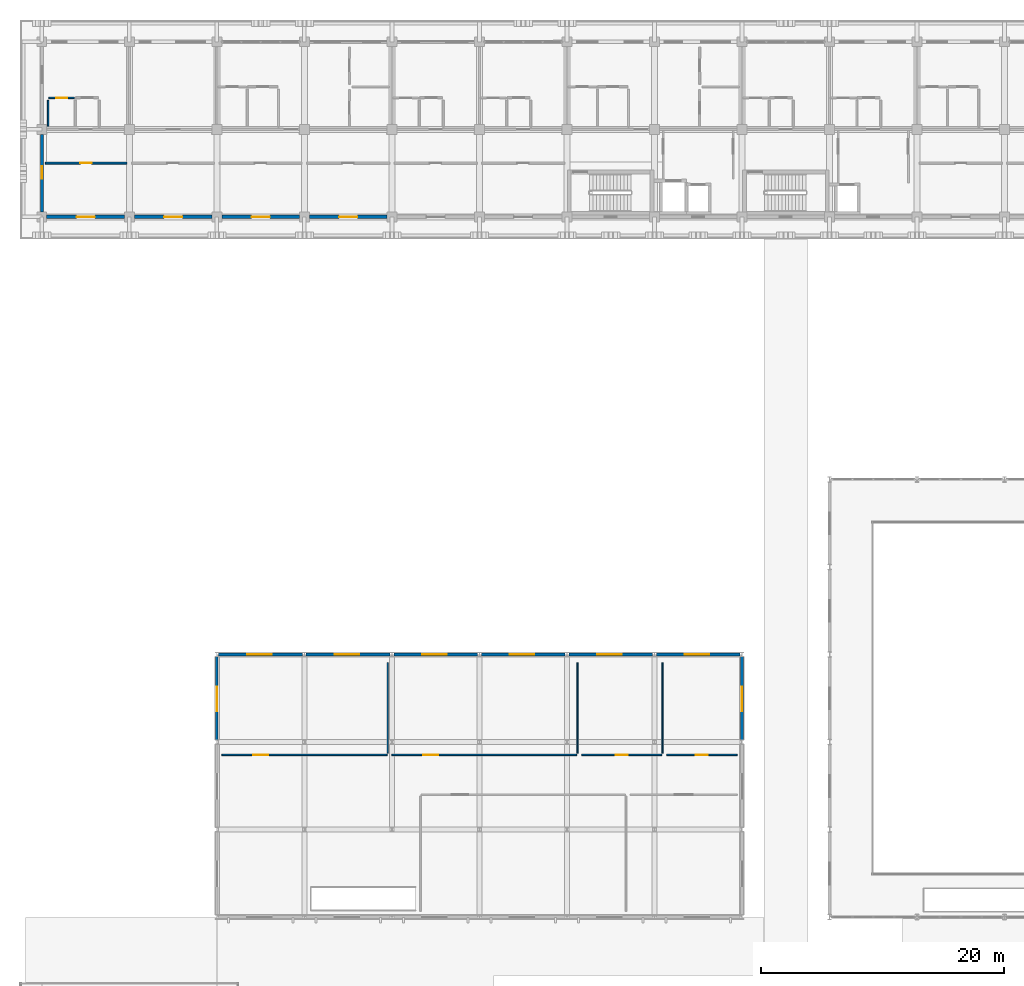
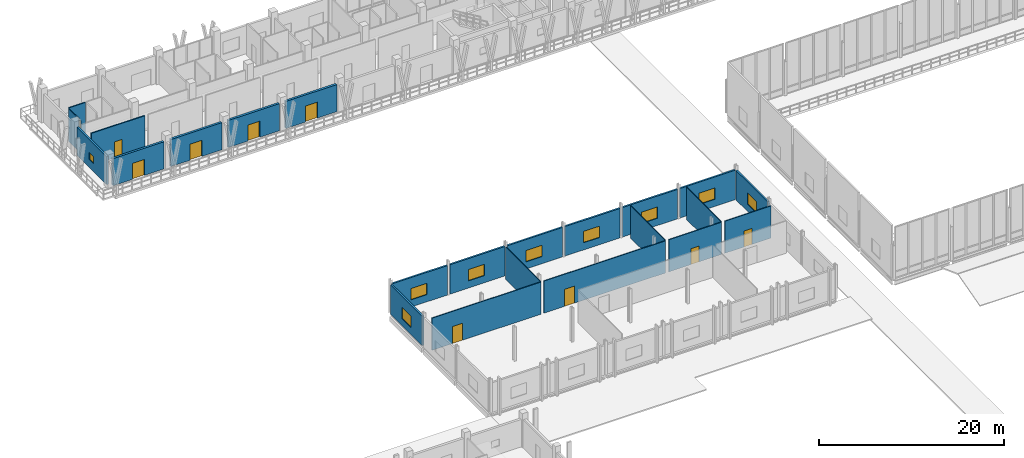
# One storey, part 72 of 110: 23 walls, 10 doors, 9 windows, 19 openings.
"""IFC4 building model written with IfcOpenShell, lengths in metres."""

from ifc_helpers import new_model, si_unit, direction, frame, frame_2d, origin, place, context, subcontext, project, spatial, rectangle, extrude, material, layer, layer_set, type_object, element, fill, save


model = new_model("IFC4")

# Units and contexts
model_context = context("Model", 3, precision=1e-05, world=origin(), true_north=direction((0.0, 1.0)))
body_context = subcontext(model_context, "Body", "Model", "MODEL_VIEW")
ifc_project = project(units=[si_unit("LENGTHUNIT", "METRE"), si_unit("AREAUNIT", "SQUARE_METRE"), si_unit("VOLUMEUNIT", "CUBIC_METRE"), si_unit("PLANEANGLEUNIT", "RADIAN"), si_unit("MASSUNIT", "GRAM", prefix="KILO")], contexts=[model_context])

# Site, building, storey
site_placement = place(None, origin())
site = spatial("IfcSite", under=ifc_project, at=site_placement, CompositionType="ELEMENT")
building_placement = place(site_placement, origin())
building = spatial("IfcBuilding", under=site, at=building_placement, Name="Suanplinth Sawtooth Commons", CompositionType="ELEMENT")
storey_placement = place(building_placement, frame((0.0, 0.0, 4.5)))
storey = spatial("IfcBuildingStorey", under=building, at=storey_placement, Name="L01", CompositionType="ELEMENT", Elevation=4.5)

# Wall, opening, door
ifc_material_1 = material(Name="Precast concrete C40/50", Category="concrete")
ifc_layer_1 = layer(ifc_material_1, 0.280029296875, Name="Insulated precast architectural facade wall 280mm")
ifc_layer_set_1 = layer_set([ifc_layer_1], Name="Precast concrete C40/50")
wall_type_1 = type_object("IfcWallType", Name="W-EX01", PredefinedType="ELEMENTEDWALL", material=ifc_layer_set_1)
wall_1_placement = place(storey_placement, frame((0.39990234375, 108.0, 0.0), z_axis=(0.0, 0.0, 1.0), x_axis=(1.0, 0.0, 0.0)))
wall_1 = element("IfcWall", 1, at=wall_1_placement, inside=storey, type_object=wall_type_1, Name="Courtyard Wall W-L01-A-S-0", PredefinedType="ELEMENTEDWALL", context=body_context, shape_type="SweptSolid", body=[
    extrude(rectangle(XDim=6.400146484375, YDim=0.280029296875, at=frame_2d((3.2001953125, 0.0))), origin(), (0.0, 0.0, 1.0), 3.5849609375),
])
opening_1_placement = place(wall_1_placement, frame((2.449951171875, 0.0, 0.0)))
opening_1 = element("IfcOpeningElement", 2, at=opening_1_placement, cuts=wall_1, Name="Opening ED0040", PredefinedType="OPENING", context=body_context, shape_type="SweptSolid", body=[
    extrude(rectangle(XDim=1.5, YDim=2.1201171875, at=frame_2d((0.75, 1.06005859375))), frame((0.0, 0.15478515625, 0.0), z_axis=(0.0, -1.0, 0.0), x_axis=(1.0, 0.0, 0.0)), (0.0, 0.0, 1.0), 0.309814453125),
])
ifc_material_2 = material(Name="Anodized aluminium and low-E glass", Category="aluminium")
door_type_1 = type_object("IfcDoorType", Name="SD-03", OperationType="SLIDING_TO_LEFT", PredefinedType="DOOR", material=ifc_material_2)
door_1_placement = place(opening_1_placement, frame((1.5, 0.0, 0.0), z_axis=(0.0, 0.0, 1.0), x_axis=(-1.0, 0.0, 0.0)))
door_1 = element("IfcDoor", 3, at=door_1_placement, inside=storey, type_object=door_type_1, Name="Courtyard Balcony Sliding Door L01-A-S-0", OperationType="SLIDING_TO_LEFT", OverallHeight=2.1201171875, OverallWidth=1.5, PredefinedType="DOOR", context=body_context, shape_type="SweptSolid", body=[
    extrude(rectangle(XDim=1.5, YDim=2.1201171875, at=frame_2d((0.75, 1.06005859375))), frame((0.0, 0.02490234375, 0.0), z_axis=(0.0, -1.0, 0.0), x_axis=(1.0, 0.0, 0.0)), (0.0, 0.0, 1.0), 0.050048828125),
])
fill(opening_1, door_1)

wall_2_placement = place(storey_placement, frame((7.60009765625, 108.0, 0.0), z_axis=(0.0, 0.0, 1.0), x_axis=(1.0, 0.0, 0.0)))
wall_2 = element("IfcWall", 4, at=wall_2_placement, inside=storey, type_object=wall_type_1, Name="Courtyard Wall W-L01-A-S-1", PredefinedType="ELEMENTEDWALL", context=body_context, shape_type="SweptSolid", body=[
    extrude(rectangle(XDim=6.39990234375, YDim=0.280029296875, at=frame_2d((3.199951171875, 0.0))), origin(), (0.0, 0.0, 1.0), 3.5849609375),
])
opening_2_placement = place(wall_2_placement, frame((2.449951171875, 0.0, 0.0)))
opening_2 = element("IfcOpeningElement", 5, at=opening_2_placement, cuts=wall_2, Name="Opening ED0042", PredefinedType="OPENING", context=body_context, shape_type="SweptSolid", body=[
    extrude(rectangle(XDim=1.5, YDim=2.1201171875, at=frame_2d((0.75, 1.06005859375))), frame((0.0, 0.15478515625, 0.0), z_axis=(0.0, -1.0, 0.0), x_axis=(1.0, 0.0, 0.0)), (0.0, 0.0, 1.0), 0.309814453125),
])
door_2_placement = place(opening_2_placement, frame((1.5, 0.0, 0.0), z_axis=(0.0, 0.0, 1.0), x_axis=(-1.0, 0.0, 0.0)))
door_2 = element("IfcDoor", 6, at=door_2_placement, inside=storey, type_object=door_type_1, Name="Courtyard Balcony Sliding Door L01-A-S-1", OperationType="SLIDING_TO_LEFT", OverallHeight=2.1201171875, OverallWidth=1.5, PredefinedType="DOOR", context=body_context, shape_type="SweptSolid", body=[
    extrude(rectangle(XDim=1.5, YDim=2.1201171875, at=frame_2d((0.75, 1.06005859375))), frame((0.0, 0.02490234375, 0.0), z_axis=(0.0, -1.0, 0.0), x_axis=(1.0, 0.0, 0.0)), (0.0, 0.0, 1.0), 0.050048828125),
])
fill(opening_2, door_2)

wall_3_placement = place(storey_placement, frame((14.800048828125, 108.0, 0.0), z_axis=(0.0, 0.0, 1.0), x_axis=(1.0, 0.0, 0.0)))
wall_3 = element("IfcWall", 7, at=wall_3_placement, inside=storey, type_object=wall_type_1, Name="Courtyard Wall W-L01-A-S-2", PredefinedType="ELEMENTEDWALL", context=body_context, shape_type="SweptSolid", body=[
    extrude(rectangle(XDim=6.39990234375, YDim=0.280029296875, at=frame_2d((3.199951171875, 0.0))), origin(), (0.0, 0.0, 1.0), 3.5849609375),
])
opening_3_placement = place(wall_3_placement, frame((2.449951171875, 0.0, 0.0)))
opening_3 = element("IfcOpeningElement", 8, at=opening_3_placement, cuts=wall_3, Name="Opening ED0043", PredefinedType="OPENING", context=body_context, shape_type="SweptSolid", body=[
    extrude(rectangle(XDim=1.5, YDim=2.1201171875, at=frame_2d((0.75, 1.06005859375))), frame((0.0, 0.15478515625, 0.0), z_axis=(0.0, -1.0, 0.0), x_axis=(1.0, 0.0, 0.0)), (0.0, 0.0, 1.0), 0.309814453125),
])
door_3_placement = place(opening_3_placement, frame((1.5, 0.0, 0.0), z_axis=(0.0, 0.0, 1.0), x_axis=(-1.0, 0.0, 0.0)))
door_3 = element("IfcDoor", 9, at=door_3_placement, inside=storey, type_object=door_type_1, Name="Courtyard Balcony Sliding Door L01-A-S-2", OperationType="SLIDING_TO_LEFT", OverallHeight=2.1201171875, OverallWidth=1.5, PredefinedType="DOOR", context=body_context, shape_type="SweptSolid", body=[
    extrude(rectangle(XDim=1.5, YDim=2.1201171875, at=frame_2d((0.75, 1.06005859375))), frame((0.0, 0.02490234375, 0.0), z_axis=(0.0, -1.0, 0.0), x_axis=(1.0, 0.0, 0.0)), (0.0, 0.0, 1.0), 0.050048828125),
])
fill(opening_3, door_3)

wall_4_placement = place(storey_placement, frame((22.0, 108.0, 0.0), z_axis=(0.0, 0.0, 1.0), x_axis=(1.0, 0.0, 0.0)))
wall_4 = element("IfcWall", 10, at=wall_4_placement, inside=storey, type_object=wall_type_1, Name="Courtyard Wall W-L01-A-S-3", PredefinedType="ELEMENTEDWALL", context=body_context, shape_type="SweptSolid", body=[
    extrude(rectangle(XDim=6.39990234375, YDim=0.280029296875, at=frame_2d((3.199951171875, 0.0))), origin(), (0.0, 0.0, 1.0), 3.5849609375),
])
opening_4_placement = place(wall_4_placement, frame((2.449951171875, 0.0, 0.0)))
opening_4 = element("IfcOpeningElement", 11, at=opening_4_placement, cuts=wall_4, Name="Opening ED0045", PredefinedType="OPENING", context=body_context, shape_type="SweptSolid", body=[
    extrude(rectangle(XDim=1.5, YDim=2.1201171875, at=frame_2d((0.75, 1.06005859375))), frame((0.0, 0.15478515625, 0.0), z_axis=(0.0, -1.0, 0.0), x_axis=(1.0, 0.0, 0.0)), (0.0, 0.0, 1.0), 0.309814453125),
])
door_4_placement = place(opening_4_placement, frame((1.5, 0.0, 0.0), z_axis=(0.0, 0.0, 1.0), x_axis=(-1.0, 0.0, 0.0)))
door_4 = element("IfcDoor", 12, at=door_4_placement, inside=storey, type_object=door_type_1, Name="Courtyard Balcony Sliding Door L01-A-S-3", OperationType="SLIDING_TO_LEFT", OverallHeight=2.1201171875, OverallWidth=1.5, PredefinedType="DOOR", context=body_context, shape_type="SweptSolid", body=[
    extrude(rectangle(XDim=1.5, YDim=2.1201171875, at=frame_2d((0.75, 1.06005859375))), frame((0.0, 0.02490234375, 0.0), z_axis=(0.0, -1.0, 0.0), x_axis=(1.0, 0.0, 0.0)), (0.0, 0.0, 1.0), 0.050048828125),
])
fill(opening_4, door_4)

# Wall, opening, window
ifc_layer_2 = layer(ifc_material_1, 0.219970703125, Name="Civic pavilion insulated facade wall 220mm")
ifc_layer_set_2 = layer_set([ifc_layer_2], Name="Precast concrete C40/50")
wall_type_2 = type_object("IfcWallType", Name="W-EX05", PredefinedType="ELEMENTEDWALL", material=ifc_layer_set_2)
wall_5_placement = place(storey_placement, frame((14.550048828125, 72.0, 0.0), z_axis=(0.0, 0.0, 1.0), x_axis=(1.0, 0.0, 0.0)))
wall_5 = element("IfcWall", 13, at=wall_5_placement, inside=storey, type_object=wall_type_2, Name="Makerspace N Wall L01-2", PredefinedType="ELEMENTEDWALL", context=body_context, shape_type="SweptSolid", body=[
    extrude(rectangle(XDim=6.89990234375, YDim=0.219970703125, at=frame_2d((3.449951171875, 0.0))), origin(), (0.0, 0.0, 1.0), 3.89990234375),
])
opening_5_placement = place(wall_5_placement, frame((2.35009765625, 0.0, 0.949951171875)))
opening_5 = element("IfcOpeningElement", 14, at=opening_5_placement, cuts=wall_5, Name="Opening W0054", PredefinedType="OPENING", context=body_context, shape_type="SweptSolid", body=[
    extrude(rectangle(XDim=2.0, YDim=1.5, at=frame_2d((1.0, 0.75))), frame((0.0, 0.125, 0.0), z_axis=(0.0, -1.0, 0.0), x_axis=(1.0, 0.0, 0.0)), (0.0, 0.0, 1.0), 0.249755859375),
])
ifc_material_3 = material(Name="Thermally broken aluminium and low-E double glazing", Category="aluminium")
window_type_1 = type_object("IfcWindowType", Name="WN-09", PartitioningType="DOUBLE_PANEL_VERTICAL", PredefinedType="WINDOW", material=ifc_material_3)
window_1_placement = place(opening_5_placement, origin())
window_1 = element("IfcWindow", 15, at=window_1_placement, inside=storey, type_object=window_type_1, Name="Makerspace Window N-2", OverallHeight=1.5, OverallWidth=2.0, PartitioningType="DOUBLE_PANEL_VERTICAL", PredefinedType="WINDOW", context=body_context, shape_type="SweptSolid", body=[
    extrude(rectangle(XDim=2.0, YDim=1.5, at=frame_2d((1.0, 0.75))), frame((0.0, 0.030029296875, 0.0), z_axis=(0.0, -1.0, 0.0), x_axis=(1.0, 0.0, 0.0)), (0.0, 0.0, 1.0), 0.06005859375),
])
fill(opening_5, window_1)

wall_6_placement = place(storey_placement, frame((21.75, 72.0, 0.0), z_axis=(0.0, 0.0, 1.0), x_axis=(1.0, 0.0, 0.0)))
wall_6 = element("IfcWall", 16, at=wall_6_placement, inside=storey, type_object=wall_type_2, Name="Makerspace N Wall L01-3", PredefinedType="ELEMENTEDWALL", context=body_context, shape_type="SweptSolid", body=[
    extrude(rectangle(XDim=6.89990234375, YDim=0.219970703125, at=frame_2d((3.449951171875, 0.0))), origin(), (0.0, 0.0, 1.0), 3.89990234375),
])
opening_6_placement = place(wall_6_placement, frame((2.35009765625, 0.0, 0.949951171875)))
opening_6 = element("IfcOpeningElement", 17, at=opening_6_placement, cuts=wall_6, Name="Opening W0056", PredefinedType="OPENING", context=body_context, shape_type="SweptSolid", body=[
    extrude(rectangle(XDim=2.0, YDim=1.5, at=frame_2d((1.0, 0.75))), frame((0.0, 0.125, 0.0), z_axis=(0.0, -1.0, 0.0), x_axis=(1.0, 0.0, 0.0)), (0.0, 0.0, 1.0), 0.249755859375),
])
window_2_placement = place(opening_6_placement, origin())
window_2 = element("IfcWindow", 18, at=window_2_placement, inside=storey, type_object=window_type_1, Name="Makerspace Window N-3", OverallHeight=1.5, OverallWidth=2.0, PartitioningType="DOUBLE_PANEL_VERTICAL", PredefinedType="WINDOW", context=body_context, shape_type="SweptSolid", body=[
    extrude(rectangle(XDim=2.0, YDim=1.5, at=frame_2d((1.0, 0.75))), frame((0.0, 0.030029296875, 0.0), z_axis=(0.0, -1.0, 0.0), x_axis=(1.0, 0.0, 0.0)), (0.0, 0.0, 1.0), 0.06005859375),
])
fill(opening_6, window_2)

wall_7_placement = place(storey_placement, frame((28.949951171875, 72.0, 0.0), z_axis=(0.0, 0.0, 1.0), x_axis=(1.0, 0.0, 0.0)))
wall_7 = element("IfcWall", 19, at=wall_7_placement, inside=storey, type_object=wall_type_2, Name="Makerspace N Wall L01-4", PredefinedType="ELEMENTEDWALL", context=body_context, shape_type="SweptSolid", body=[
    extrude(rectangle(XDim=6.900146484375, YDim=0.219970703125, at=frame_2d((3.4501953125, 0.0))), origin(), (0.0, 0.0, 1.0), 3.89990234375),
])
opening_7_placement = place(wall_7_placement, frame((2.35009765625, 0.0, 0.949951171875)))
opening_7 = element("IfcOpeningElement", 20, at=opening_7_placement, cuts=wall_7, Name="Opening W0058", PredefinedType="OPENING", context=body_context, shape_type="SweptSolid", body=[
    extrude(rectangle(XDim=2.0, YDim=1.5, at=frame_2d((1.0, 0.75))), frame((0.0, 0.125, 0.0), z_axis=(0.0, -1.0, 0.0), x_axis=(1.0, 0.0, 0.0)), (0.0, 0.0, 1.0), 0.249755859375),
])
window_3_placement = place(opening_7_placement, origin())
window_3 = element("IfcWindow", 21, at=window_3_placement, inside=storey, type_object=window_type_1, Name="Makerspace Window N-4", OverallHeight=1.5, OverallWidth=2.0, PartitioningType="DOUBLE_PANEL_VERTICAL", PredefinedType="WINDOW", context=body_context, shape_type="SweptSolid", body=[
    extrude(rectangle(XDim=2.0, YDim=1.5, at=frame_2d((1.0, 0.75))), frame((0.0, 0.030029296875, 0.0), z_axis=(0.0, -1.0, 0.0), x_axis=(1.0, 0.0, 0.0)), (0.0, 0.0, 1.0), 0.06005859375),
])
fill(opening_7, window_3)

wall_8_placement = place(storey_placement, frame((36.14990234375, 72.0, 0.0), z_axis=(0.0, 0.0, 1.0), x_axis=(1.0, 0.0, 0.0)))
wall_8 = element("IfcWall", 22, at=wall_8_placement, inside=storey, type_object=wall_type_2, Name="Makerspace N Wall L01-5", PredefinedType="ELEMENTEDWALL", context=body_context, shape_type="SweptSolid", body=[
    extrude(rectangle(XDim=6.900146484375, YDim=0.219970703125, at=frame_2d((3.4501953125, 0.0))), origin(), (0.0, 0.0, 1.0), 3.89990234375),
])
opening_8_placement = place(wall_8_placement, frame((2.35009765625, 0.0, 0.949951171875)))
opening_8 = element("IfcOpeningElement", 23, at=opening_8_placement, cuts=wall_8, Name="Opening W0060", PredefinedType="OPENING", context=body_context, shape_type="SweptSolid", body=[
    extrude(rectangle(XDim=2.0, YDim=1.5, at=frame_2d((1.0, 0.75))), frame((0.0, 0.125, 0.0), z_axis=(0.0, -1.0, 0.0), x_axis=(1.0, 0.0, 0.0)), (0.0, 0.0, 1.0), 0.249755859375),
])
window_4_placement = place(opening_8_placement, origin())
window_4 = element("IfcWindow", 24, at=window_4_placement, inside=storey, type_object=window_type_1, Name="Makerspace Window N-5", OverallHeight=1.5, OverallWidth=2.0, PartitioningType="DOUBLE_PANEL_VERTICAL", PredefinedType="WINDOW", context=body_context, shape_type="SweptSolid", body=[
    extrude(rectangle(XDim=2.0, YDim=1.5, at=frame_2d((1.0, 0.75))), frame((0.0, 0.030029296875, 0.0), z_axis=(0.0, -1.0, 0.0), x_axis=(1.0, 0.0, 0.0)), (0.0, 0.0, 1.0), 0.06005859375),
])
fill(opening_8, window_4)

wall_9_placement = place(storey_placement, frame((43.35009765625, 72.0, 0.0), z_axis=(0.0, 0.0, 1.0), x_axis=(1.0, 0.0, 0.0)))
wall_9 = element("IfcWall", 25, at=wall_9_placement, inside=storey, type_object=wall_type_2, Name="Makerspace N Wall L01-6", PredefinedType="ELEMENTEDWALL", context=body_context, shape_type="SweptSolid", body=[
    extrude(rectangle(XDim=6.89990234375, YDim=0.219970703125, at=frame_2d((3.449951171875, 0.0))), origin(), (0.0, 0.0, 1.0), 3.89990234375),
])
opening_9_placement = place(wall_9_placement, frame((2.35009765625, 0.0, 0.949951171875)))
opening_9 = element("IfcOpeningElement", 26, at=opening_9_placement, cuts=wall_9, Name="Opening W0063", PredefinedType="OPENING", context=body_context, shape_type="SweptSolid", body=[
    extrude(rectangle(XDim=2.0, YDim=1.5, at=frame_2d((1.0, 0.75))), frame((0.0, 0.125, 0.0), z_axis=(0.0, -1.0, 0.0), x_axis=(1.0, 0.0, 0.0)), (0.0, 0.0, 1.0), 0.249755859375),
])
window_5_placement = place(opening_9_placement, origin())
window_5 = element("IfcWindow", 27, at=window_5_placement, inside=storey, type_object=window_type_1, Name="Makerspace Window N-6", OverallHeight=1.5, OverallWidth=2.0, PartitioningType="DOUBLE_PANEL_VERTICAL", PredefinedType="WINDOW", context=body_context, shape_type="SweptSolid", body=[
    extrude(rectangle(XDim=2.0, YDim=1.5, at=frame_2d((1.0, 0.75))), frame((0.0, 0.030029296875, 0.0), z_axis=(0.0, -1.0, 0.0), x_axis=(1.0, 0.0, 0.0)), (0.0, 0.0, 1.0), 0.06005859375),
])
fill(opening_9, window_5)

wall_10_placement = place(storey_placement, frame((50.550048828125, 72.0, 0.0), z_axis=(0.0, 0.0, 1.0), x_axis=(1.0, 0.0, 0.0)))
wall_10 = element("IfcWall", 28, at=wall_10_placement, inside=storey, type_object=wall_type_2, Name="Makerspace N Wall L01-7", PredefinedType="ELEMENTEDWALL", context=body_context, shape_type="SweptSolid", body=[
    extrude(rectangle(XDim=6.89990234375, YDim=0.219970703125, at=frame_2d((3.449951171875, 0.0))), origin(), (0.0, 0.0, 1.0), 3.89990234375),
])
opening_10_placement = place(wall_10_placement, frame((2.35009765625, 0.0, 0.949951171875)))
opening_10 = element("IfcOpeningElement", 29, at=opening_10_placement, cuts=wall_10, Name="Opening W0065", PredefinedType="OPENING", context=body_context, shape_type="SweptSolid", body=[
    extrude(rectangle(XDim=2.0, YDim=1.5, at=frame_2d((1.0, 0.75))), frame((0.0, 0.125, 0.0), z_axis=(0.0, -1.0, 0.0), x_axis=(1.0, 0.0, 0.0)), (0.0, 0.0, 1.0), 0.249755859375),
])
window_6_placement = place(opening_10_placement, origin())
window_6 = element("IfcWindow", 30, at=window_6_placement, inside=storey, type_object=window_type_1, Name="Makerspace Window N-7", OverallHeight=1.5, OverallWidth=2.0, PartitioningType="DOUBLE_PANEL_VERTICAL", PredefinedType="WINDOW", context=body_context, shape_type="SweptSolid", body=[
    extrude(rectangle(XDim=2.0, YDim=1.5, at=frame_2d((1.0, 0.75))), frame((0.0, 0.030029296875, 0.0), z_axis=(0.0, -1.0, 0.0), x_axis=(1.0, 0.0, 0.0)), (0.0, 0.0, 1.0), 0.06005859375),
])
fill(opening_10, window_6)

wall_11_placement = place(storey_placement, frame((14.39990234375, 64.97998046875, 0.0), z_axis=(0.0, 0.0, 1.0), x_axis=(0.0, 1.0, 0.0)))
wall_11 = element("IfcWall", 31, at=wall_11_placement, inside=storey, type_object=wall_type_2, Name="Market W Wall L01-9", PredefinedType="ELEMENTEDWALL", context=body_context, shape_type="SweptSolid", body=[
    extrude(rectangle(XDim=6.840087890625, YDim=0.219970703125, at=frame_2d((3.419921875, 0.0))), origin(), (0.0, 0.0, 1.0), 3.89990234375),
])
opening_11_placement = place(wall_11_placement, frame((2.35009765625, 0.0, 0.949951171875)))
opening_11 = element("IfcOpeningElement", 32, at=opening_11_placement, cuts=wall_11, Name="Opening W0072", PredefinedType="OPENING", context=body_context, shape_type="SweptSolid", body=[
    extrude(rectangle(XDim=2.0, YDim=1.5, at=frame_2d((1.0, 0.75))), frame((0.0, 0.125, 0.0), z_axis=(0.0, -1.0, 0.0), x_axis=(1.0, 0.0, 0.0)), (0.0, 0.0, 1.0), 0.249755859375),
])
window_7_placement = place(opening_11_placement, origin())
window_7 = element("IfcWindow", 33, at=window_7_placement, inside=storey, type_object=window_type_1, Name="Market W Window L01-9", OverallHeight=1.5, OverallWidth=2.0, PartitioningType="DOUBLE_PANEL_VERTICAL", PredefinedType="WINDOW", context=body_context, shape_type="SweptSolid", body=[
    extrude(rectangle(XDim=2.0, YDim=1.5, at=frame_2d((1.0, 0.75))), frame((0.0, 0.030029296875, 0.0), z_axis=(0.0, -1.0, 0.0), x_axis=(1.0, 0.0, 0.0)), (0.0, 0.0, 1.0), 0.06005859375),
])
fill(opening_11, window_7)

wall_12_placement = place(storey_placement, frame((57.60009765625, 64.97998046875, 0.0), z_axis=(0.0, 0.0, 1.0), x_axis=(0.0, 1.0, 0.0)))
wall_12 = element("IfcWall", 34, at=wall_12_placement, inside=storey, type_object=wall_type_2, Name="Market E Wall L01-9", PredefinedType="ELEMENTEDWALL", context=body_context, shape_type="SweptSolid", body=[
    extrude(rectangle(XDim=6.840087890625, YDim=0.219970703125, at=frame_2d((3.419921875, 0.0))), origin(), (0.0, 0.0, 1.0), 3.89990234375),
])
opening_12_placement = place(wall_12_placement, frame((2.35009765625, 0.0, 0.949951171875)))
opening_12 = element("IfcOpeningElement", 35, at=opening_12_placement, cuts=wall_12, Name="Opening W0073", PredefinedType="OPENING", context=body_context, shape_type="SweptSolid", body=[
    extrude(rectangle(XDim=2.0, YDim=1.5, at=frame_2d((1.0, 0.75))), frame((0.0, 0.125, 0.0), z_axis=(0.0, -1.0, 0.0), x_axis=(1.0, 0.0, 0.0)), (0.0, 0.0, 1.0), 0.249755859375),
])
window_8_placement = place(opening_12_placement, origin())
window_8 = element("IfcWindow", 36, at=window_8_placement, inside=storey, type_object=window_type_1, Name="Market E Window L01-9", OverallHeight=1.5, OverallWidth=2.0, PartitioningType="DOUBLE_PANEL_VERTICAL", PredefinedType="WINDOW", context=body_context, shape_type="SweptSolid", body=[
    extrude(rectangle(XDim=2.0, YDim=1.5, at=frame_2d((1.0, 0.75))), frame((0.0, 0.030029296875, 0.0), z_axis=(0.0, -1.0, 0.0), x_axis=(1.0, 0.0, 0.0)), (0.0, 0.0, 1.0), 0.06005859375),
])
fill(opening_12, window_8)

ifc_layer_3 = layer(ifc_material_1, 0.22998046875, Name="Stepped terrace insulated precast wall 230mm")
ifc_layer_set_3 = layer_set([ifc_layer_3], Name="Precast concrete C40/50")
wall_type_3 = type_object("IfcWallType", Name="W-EX06", PredefinedType="ELEMENTEDWALL", material=ifc_layer_set_3)
wall_13_placement = place(storey_placement, frame((0.0, 108.39990234375, 0.0), z_axis=(0.0, 0.0, 1.0), x_axis=(0.0, 1.0, 0.0)))
wall_13 = element("IfcWall", 37, at=wall_13_placement, inside=storey, type_object=wall_type_3, Name="End Wall W-L01-A-W-15", PredefinedType="ELEMENTEDWALL", context=body_context, shape_type="SweptSolid", body=[
    extrude(rectangle(XDim=6.400146484375, YDim=0.22998046875, at=frame_2d((3.2001953125, 0.0))), origin(), (0.0, 0.0, 1.0), 3.715087890625),
])
opening_13_placement = place(wall_13_placement, frame((2.75, 0.0, 1.10009765625)))
opening_13 = element("IfcOpeningElement", 38, at=opening_13_placement, cuts=wall_13, Name="Opening W0184", PredefinedType="OPENING", context=body_context, shape_type="SweptSolid", body=[
    extrude(rectangle(XDim=1.0, YDim=0.89990234375, at=frame_2d((0.5, 0.449951171875))), frame((0.0, 0.1298828125, 0.0), z_axis=(0.0, -1.0, 0.0), x_axis=(1.0, 0.0, 0.0)), (0.0, 0.0, 1.0), 0.259765625),
])
window_type_2 = type_object("IfcWindowType", Name="WN-12", PartitioningType="SINGLE_PANEL", PredefinedType="WINDOW", material=ifc_material_3)
window_9_placement = place(opening_13_placement, origin())
window_9 = element("IfcWindow", 39, at=window_9_placement, inside=storey, type_object=window_type_2, Name="End Window L01-A-W-15", OverallHeight=0.89990234375, OverallWidth=1.0, PartitioningType="SINGLE_PANEL", PredefinedType="WINDOW", context=body_context, shape_type="SweptSolid", body=[
    extrude(rectangle(XDim=1.0, YDim=0.89990234375, at=frame_2d((0.5, 0.449951171875))), frame((0.0, 0.030029296875, 0.0), z_axis=(0.0, -1.0, 0.0), x_axis=(1.0, 0.0, 0.0)), (0.0, 0.0, 1.0), 0.06005859375),
])
fill(opening_13, window_9)

# Wall, opening, door
ifc_layer_4 = layer(ifc_material_1, 0.159912109375, Name="Fire-rated corridor and lobby wall 160mm")
ifc_layer_set_4 = layer_set([ifc_layer_4], Name="Precast concrete C40/50")
wall_type_4 = type_object("IfcWallType", Name="W-FW01", PredefinedType="PARTITIONING", material=ifc_layer_set_4)
wall_14_placement = place(storey_placement, frame((0.280029296875, 112.419921875, 0.0), z_axis=(0.0, 0.0, 1.0), x_axis=(1.0, 0.0, 0.0)))
wall_14 = element("IfcWall", 40, at=wall_14_placement, inside=storey, type_object=wall_type_4, Name="W-A-L01-COURTROOM-13-COR", PredefinedType="PARTITIONING", context=body_context, shape_type="SweptSolid", body=[
    extrude(rectangle(XDim=6.719970703125, YDim=0.159912109375, at=frame_2d((3.35986328125, 0.0))), origin(), (0.0, 0.0, 1.0), 4.25),
])
opening_14_placement = place(wall_14_placement, frame((2.889892578125, 0.0, 0.0)))
opening_14 = element("IfcOpeningElement", 41, at=opening_14_placement, cuts=wall_14, Name="Opening D0567", PredefinedType="OPENING", context=body_context, shape_type="SweptSolid", body=[
    extrude(rectangle(XDim=0.93994140625, YDim=2.1201171875, at=frame_2d((0.469970703125, 1.06005859375))), frame((0.0, 0.0947265625, 0.0), z_axis=(0.0, -1.0, 0.0), x_axis=(1.0, 0.0, 0.0)), (0.0, 0.0, 1.0), 0.189697265625),
])
ifc_material_4 = material(Name="Teak hardwood", Category="wood")
door_type_2 = type_object("IfcDoorType", Name="D-15", OperationType="NOTDEFINED", PredefinedType="DOOR", material=ifc_material_4)
door_5_placement = place(opening_14_placement, frame((0.93994140625, 0.0, 0.0), z_axis=(0.0, 0.0, 1.0), x_axis=(-1.0, 0.0, 0.0)))
door_5 = element("IfcDoor", 42, at=door_5_placement, inside=storey, type_object=door_type_2, Name="Study Studio Door D0567", OperationType="SINGLE_SWING_LEFT", OverallHeight=2.1201171875, OverallWidth=0.93994140625, PredefinedType="DOOR", context=body_context, shape_type="SweptSolid", body=[
    extrude(rectangle(XDim=0.93994140625, YDim=2.1201171875, at=frame_2d((0.469970703125, 1.06005859375))), frame((0.0, 0.02490234375, 0.0), z_axis=(0.0, -1.0, 0.0), x_axis=(1.0, 0.0, 0.0)), (0.0, 0.0, 1.0), 0.050048828125),
])
fill(opening_14, door_5)

ifc_material_5 = material(Name="Gypsum plasterboard on steel stud", Category="steel")
ifc_layer_5 = layer(ifc_material_5, 0.1298828125, Name="Moisture-resistant bathroom partition 130mm")
ifc_layer_set_5 = layer_set([ifc_layer_5], Name="Gypsum plasterboard on steel stud")
wall_type_5 = type_object("IfcWallType", Name="W-PT02", PredefinedType="PARTITIONING", material=ifc_layer_set_5)
wall_15_placement = place(storey_placement, frame((0.580078125, 117.794921875, 0.0), z_axis=(0.0, 0.0, 1.0), x_axis=(1.0, 0.0, 0.0)))
wall_15 = element("IfcWall", 43, at=wall_15_placement, inside=storey, type_object=wall_type_5, Name="W-A-L01-U01-BTH1", PredefinedType="PARTITIONING", context=body_context, shape_type="SweptSolid", body=[
    extrude(rectangle(XDim=2.099853515625, YDim=0.1298828125, at=frame_2d((1.0498046875, 0.0))), origin(), (0.0, 0.0, 1.0), 4.25),
])
opening_15_placement = place(wall_15_placement, frame((0.610107421875, 0.0, 0.0)))
opening_15 = element("IfcOpeningElement", 44, at=opening_15_placement, cuts=wall_15, Name="Opening D0525", PredefinedType="OPENING", context=body_context, shape_type="SweptSolid", body=[
    extrude(rectangle(XDim=0.8798828125, YDim=2.10009765625, at=frame_2d((0.43994140625, 1.050048828125))), frame((0.0, 0.079833984375, 0.0), z_axis=(0.0, -1.0, 0.0), x_axis=(1.0, 0.0, 0.0)), (0.0, 0.0, 1.0), 0.15966796875),
])
door_type_3 = type_object("IfcDoorType", Name="D-14", OperationType="NOTDEFINED", PredefinedType="DOOR", material=ifc_material_4)
door_6_placement = place(opening_15_placement, frame((0.8798828125, 0.0, 0.0), z_axis=(0.0, 0.0, 1.0), x_axis=(-1.0, 0.0, 0.0)))
door_6 = element("IfcDoor", 45, at=door_6_placement, inside=storey, type_object=door_type_3, Name="Bathroom Door D0525", OperationType="SINGLE_SWING_LEFT", OverallHeight=2.10009765625, OverallWidth=0.8798828125, PredefinedType="DOOR", context=body_context, shape_type="SweptSolid", body=[
    extrude(rectangle(XDim=0.8798828125, YDim=2.10009765625, at=frame_2d((0.43994140625, 1.050048828125))), frame((0.0, 0.02490234375, 0.0), z_axis=(0.0, -1.0, 0.0), x_axis=(1.0, 0.0, 0.0)), (0.0, 0.0, 1.0), 0.050048828125),
])
fill(opening_15, door_6)

# Wall
wall_16_placement = place(storey_placement, frame((0.514892578125, 115.4599609375, 0.0), z_axis=(0.0, 0.0, 1.0), x_axis=(0.0, 1.0, 0.0)))
element("IfcWall", 46, at=wall_16_placement, inside=storey, type_object=wall_type_5, Name="W-A-L01-U01-BTH3", PredefinedType="PARTITIONING", context=body_context, shape_type="SweptSolid", body=[
    extrude(rectangle(XDim=2.130126953125, YDim=0.1298828125, at=frame_2d((1.06494140625, 0.0))), origin(), (0.0, 0.0, 1.0), 4.25),
])

# Wall, opening, door
ifc_layer_6 = layer(ifc_material_5, 0.110107421875, Name="Civic classroom and clinic partition 110mm")
ifc_layer_set_6 = layer_set([ifc_layer_6], Name="Gypsum plasterboard on steel stud")
wall_type_6 = type_object("IfcWallType", Name="W-PT04", PredefinedType="PARTITIONING", material=ifc_layer_set_6)
wall_17_placement = place(storey_placement, frame((14.800048828125, 63.739990234375, 0.0), z_axis=(0.0, 0.0, 1.0), x_axis=(1.0, 0.0, 0.0)))
wall_17 = element("IfcWall", 47, at=wall_17_placement, inside=storey, type_object=wall_type_6, Name="W-L01-MKT-COOP1-S", PredefinedType="PARTITIONING", context=body_context, shape_type="SweptSolid", body=[
    extrude(rectangle(XDim=13.599853515625, YDim=0.110107421875, at=frame_2d((6.7998046875, 0.0))), origin(), (0.0, 0.0, 1.0), 4.25),
])
opening_16_placement = place(wall_17_placement, frame((2.574951171875, 0.0, 0.0)))
opening_16 = element("IfcOpeningElement", 48, at=opening_16_placement, cuts=wall_17, Name="Opening D0466", PredefinedType="OPENING", context=body_context, shape_type="SweptSolid", body=[
    extrude(rectangle(XDim=1.25, YDim=2.25, at=frame_2d((0.625, 1.125))), frame((0.0, 0.06982421875, 0.0), z_axis=(0.0, -1.0, 0.0), x_axis=(1.0, 0.0, 0.0)), (0.0, 0.0, 1.0), 0.139892578125),
])
door_type_4 = type_object("IfcDoorType", Name="D-08", OperationType="NOTDEFINED", PredefinedType="DOOR", material=ifc_material_4)
door_7_placement = place(opening_16_placement, origin())
door_7 = element("IfcDoor", 49, at=door_7_placement, inside=storey, type_object=door_type_4, Name="Civic Room Door D0466", OperationType="SINGLE_SWING_RIGHT", OverallHeight=2.25, OverallWidth=1.25, PredefinedType="DOOR", context=body_context, shape_type="SweptSolid", body=[
    extrude(rectangle(XDim=1.25, YDim=2.25, at=frame_2d((0.625, 1.125))), frame((0.0, 0.02490234375, 0.0), z_axis=(0.0, -1.0, 0.0), x_axis=(1.0, 0.0, 0.0)), (0.0, 0.0, 1.0), 0.050048828125),
])
fill(opening_16, door_7)

# Wall
wall_18_placement = place(storey_placement, frame((28.4599609375, 63.8798828125, 0.0), z_axis=(0.0, 0.0, 1.0), x_axis=(0.0, 1.0, 0.0)))
element("IfcWall", 50, at=wall_18_placement, inside=storey, type_object=wall_type_6, Name="W-L01-MKT-COOP1-E", PredefinedType="PARTITIONING", context=body_context, shape_type="SweptSolid", body=[
    extrude(rectangle(XDim=7.440185546875, YDim=0.110107421875, at=frame_2d((3.72021484375, 0.0))), origin(), (0.0, 0.0, 1.0), 4.25),
])

# Wall, opening, door
wall_19_placement = place(storey_placement, frame((28.800048828125, 63.739990234375, 0.0), z_axis=(0.0, 0.0, 1.0), x_axis=(1.0, 0.0, 0.0)))
wall_19 = element("IfcWall", 51, at=wall_19_placement, inside=storey, type_object=wall_type_6, Name="W-L01-MKT-COOP2-S", PredefinedType="PARTITIONING", context=body_context, shape_type="SweptSolid", body=[
    extrude(rectangle(XDim=15.199951171875, YDim=0.110107421875, at=frame_2d((7.60009765625, 0.0))), origin(), (0.0, 0.0, 1.0), 4.25),
])
opening_17_placement = place(wall_19_placement, frame((2.574951171875, 0.0, 0.0)))
opening_17 = element("IfcOpeningElement", 52, at=opening_17_placement, cuts=wall_19, Name="Opening D0467", PredefinedType="OPENING", context=body_context, shape_type="SweptSolid", body=[
    extrude(rectangle(XDim=1.25, YDim=2.25, at=frame_2d((0.625, 1.125))), frame((0.0, 0.06982421875, 0.0), z_axis=(0.0, -1.0, 0.0), x_axis=(1.0, 0.0, 0.0)), (0.0, 0.0, 1.0), 0.139892578125),
])
door_8_placement = place(opening_17_placement, origin())
door_8 = element("IfcDoor", 53, at=door_8_placement, inside=storey, type_object=door_type_4, Name="Civic Room Door D0467", OperationType="SINGLE_SWING_LEFT", OverallHeight=2.25, OverallWidth=1.25, PredefinedType="DOOR", context=body_context, shape_type="SweptSolid", body=[
    extrude(rectangle(XDim=1.25, YDim=2.25, at=frame_2d((0.625, 1.125))), frame((0.0, 0.02490234375, 0.0), z_axis=(0.0, -1.0, 0.0), x_axis=(1.0, 0.0, 0.0)), (0.0, 0.0, 1.0), 0.050048828125),
])
fill(opening_17, door_8)

# Wall
wall_20_placement = place(storey_placement, frame((44.06005859375, 63.8798828125, 0.0), z_axis=(0.0, 0.0, 1.0), x_axis=(0.0, 1.0, 0.0)))
element("IfcWall", 54, at=wall_20_placement, inside=storey, type_object=wall_type_6, Name="W-L01-MKT-COOP2-E", PredefinedType="PARTITIONING", context=body_context, shape_type="SweptSolid", body=[
    extrude(rectangle(XDim=7.440185546875, YDim=0.110107421875, at=frame_2d((3.72021484375, 0.0))), origin(), (0.0, 0.0, 1.0), 4.25),
])

# Wall, opening, door
wall_21_placement = place(storey_placement, frame((44.39990234375, 63.739990234375, 0.0), z_axis=(0.0, 0.0, 1.0), x_axis=(1.0, 0.0, 0.0)))
wall_21 = element("IfcWall", 55, at=wall_21_placement, inside=storey, type_object=wall_type_6, Name="W-L01-MKT-WCM-S", PredefinedType="PARTITIONING", context=body_context, shape_type="SweptSolid", body=[
    extrude(rectangle(XDim=6.60009765625, YDim=0.110107421875, at=frame_2d((3.300048828125, 0.0))), origin(), (0.0, 0.0, 1.0), 4.25),
])
opening_18_placement = place(wall_21_placement, frame((2.800048828125, 0.0, 0.0)))
opening_18 = element("IfcOpeningElement", 56, at=opening_18_placement, cuts=wall_21, Name="Opening D0468", PredefinedType="OPENING", context=body_context, shape_type="SweptSolid", body=[
    extrude(rectangle(XDim=1.0, YDim=2.10009765625, at=frame_2d((0.5, 1.050048828125))), frame((0.0, 0.06982421875, 0.0), z_axis=(0.0, -1.0, 0.0), x_axis=(1.0, 0.0, 0.0)), (0.0, 0.0, 1.0), 0.139892578125),
])
door_type_5 = type_object("IfcDoorType", Name="D-04", OperationType="NOTDEFINED", PredefinedType="DOOR", material=ifc_material_4)
door_9_placement = place(opening_18_placement, origin())
door_9 = element("IfcDoor", 57, at=door_9_placement, inside=storey, type_object=door_type_5, Name="Civic Room Door D0468", OperationType="SINGLE_SWING_RIGHT", OverallHeight=2.10009765625, OverallWidth=1.0, PredefinedType="DOOR", context=body_context, shape_type="SweptSolid", body=[
    extrude(rectangle(XDim=1.0, YDim=2.10009765625, at=frame_2d((0.5, 1.050048828125))), frame((0.0, 0.02490234375, 0.0), z_axis=(0.0, -1.0, 0.0), x_axis=(1.0, 0.0, 0.0)), (0.0, 0.0, 1.0), 0.050048828125),
])
fill(opening_18, door_9)

# Wall
wall_22_placement = place(storey_placement, frame((51.06005859375, 63.8798828125, 0.0), z_axis=(0.0, 0.0, 1.0), x_axis=(0.0, 1.0, 0.0)))
element("IfcWall", 58, at=wall_22_placement, inside=storey, type_object=wall_type_6, Name="W-L01-MKT-WCM-E", PredefinedType="PARTITIONING", context=body_context, shape_type="SweptSolid", body=[
    extrude(rectangle(XDim=7.440185546875, YDim=0.110107421875, at=frame_2d((3.72021484375, 0.0))), origin(), (0.0, 0.0, 1.0), 4.25),
])

# Wall, opening, door
wall_23_placement = place(storey_placement, frame((51.39990234375, 63.739990234375, 0.0), z_axis=(0.0, 0.0, 1.0), x_axis=(1.0, 0.0, 0.0)))
wall_23 = element("IfcWall", 59, at=wall_23_placement, inside=storey, type_object=wall_type_6, Name="W-L01-MKT-WCACC-S", PredefinedType="PARTITIONING", context=body_context, shape_type="SweptSolid", body=[
    extrude(rectangle(XDim=5.800048828125, YDim=0.110107421875, at=frame_2d((2.89990234375, 0.0))), origin(), (0.0, 0.0, 1.0), 4.25),
])
opening_19_placement = place(wall_23_placement, frame((2.39990234375, 0.0, 0.0)))
opening_19 = element("IfcOpeningElement", 60, at=opening_19_placement, cuts=wall_23, Name="Opening D0469", PredefinedType="OPENING", context=body_context, shape_type="SweptSolid", body=[
    extrude(rectangle(XDim=1.0, YDim=2.10009765625, at=frame_2d((0.5, 1.050048828125))), frame((0.0, 0.06982421875, 0.0), z_axis=(0.0, -1.0, 0.0), x_axis=(1.0, 0.0, 0.0)), (0.0, 0.0, 1.0), 0.139892578125),
])
door_10_placement = place(opening_19_placement, origin())
door_10 = element("IfcDoor", 61, at=door_10_placement, inside=storey, type_object=door_type_5, Name="Civic Room Door D0469", OperationType="SINGLE_SWING_LEFT", OverallHeight=2.10009765625, OverallWidth=1.0, PredefinedType="DOOR", context=body_context, shape_type="SweptSolid", body=[
    extrude(rectangle(XDim=1.0, YDim=2.10009765625, at=frame_2d((0.5, 1.050048828125))), frame((0.0, 0.02490234375, 0.0), z_axis=(0.0, -1.0, 0.0), x_axis=(1.0, 0.0, 0.0)), (0.0, 0.0, 1.0), 0.050048828125),
])
fill(opening_19, door_10)

save(model, "model.ifc")
